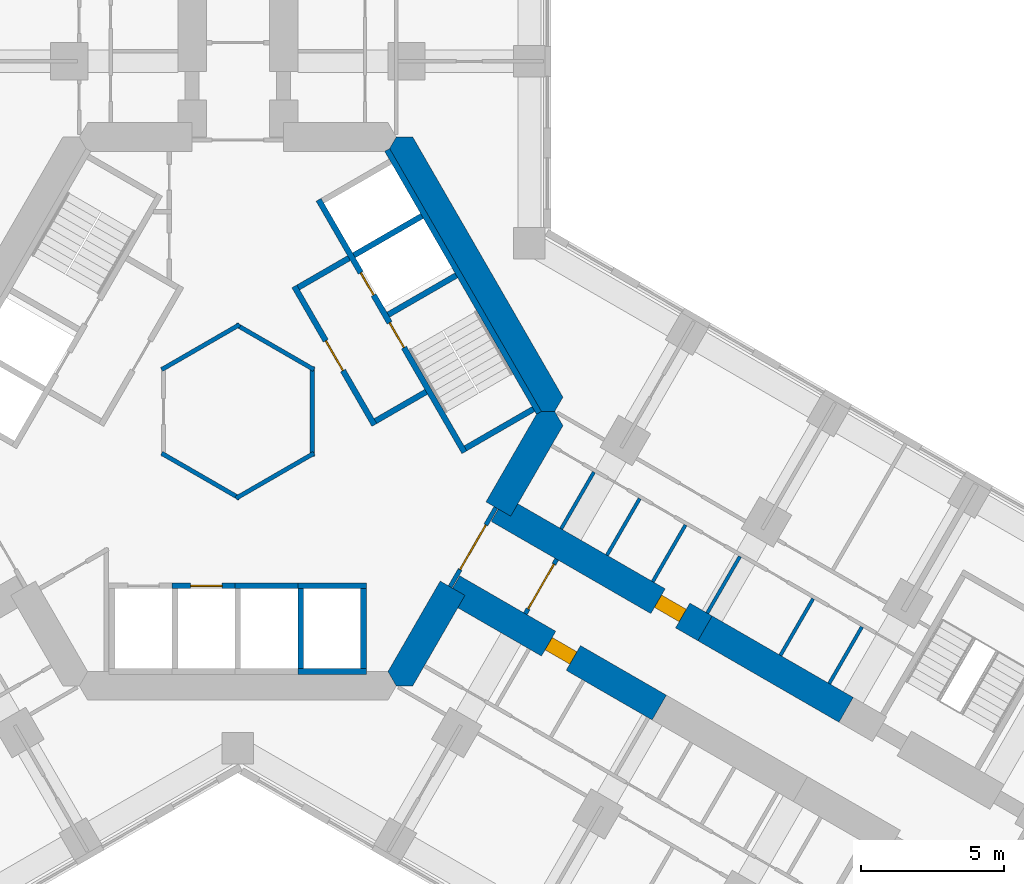
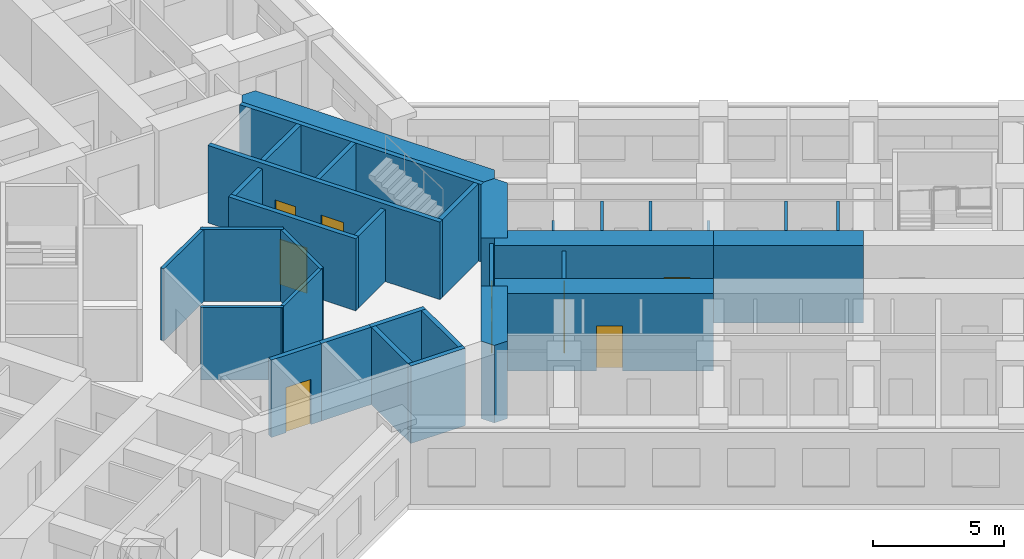
# One storey, part 15 of 21: 33 walls, 8 doors, 8 openings.
"""IFC4 building model written with IfcOpenShell, lengths in metres."""

from ifc_helpers import new_model, si_unit, direction, frame, frame_2d, origin, place, context, subcontext, project, spatial, polyline, rectangle, outline, extrude, material, layer, layer_set, type_object, element, fill, save


model = new_model("IFC4")

# Units and contexts
model_context = context("Model", 3, precision=1e-05, world=origin(), true_north=direction((0.0, 1.0)))
body_context = subcontext(model_context, "Body", "Model", "MODEL_VIEW")
ifc_project = project(units=[si_unit("LENGTHUNIT", "METRE"), si_unit("AREAUNIT", "SQUARE_METRE"), si_unit("VOLUMEUNIT", "CUBIC_METRE"), si_unit("PLANEANGLEUNIT", "RADIAN"), si_unit("MASSUNIT", "GRAM", prefix="KILO")], contexts=[model_context])

# Site, building, storey
site_placement = place(None, origin())
site = spatial("IfcSite", under=ifc_project, at=site_placement, CompositionType="ELEMENT")
building_placement = place(site_placement, origin())
building = spatial("IfcBuilding", under=site, at=building_placement, Name="Kosmar Iwan School Tower", CompositionType="ELEMENT")
storey_placement = place(building_placement, frame((0.0, 0.0, 39.39990234375)))
storey = spatial("IfcBuildingStorey", under=building, at=storey_placement, Name="L08", CompositionType="ELEMENT", Elevation=39.39990234375)

# Walls
ifc_material_1 = material(Name="Gypsum board on steel studs, fire-rated", Category="steel")
ifc_layer_1 = layer(ifc_material_1, 0.14990234375)
ifc_layer_set_1 = layer_set([ifc_layer_1], Name="Core room partition 150")
wall_type_1 = type_object("IfcWallType", Name="Core room partition 150", PredefinedType="PARTITIONING", material=ifc_layer_set_1)
for number, where, z_axis, x_axis, name in (
    (1, (2.6650390625, -1.463623046875, 0.0), (0.0, 0.0, 1.0), (-0.866023080072, -0.500004024767, 0.0), "Core room partition L08-CW4"),
    (2, (0.06494140625, -3.039794921875, 0.0), (0.0, 0.0, 1.0), (-0.866023080072, 0.500004024767, 0.0), "Core room partition L08-CW5"),
    (3, (-2.6650390625, 1.463623046875, 0.0), (0.0, 0.0, 1.0), (0.866023080072, 0.500004024767, 0.0), "Core room partition L08-CW7"),
    (4, (-0.06494140625, 3.039794921875, 0.0), (0.0, 0.0, 1.0), (0.866023080072, -0.500004024767, 0.0), "Core room partition L08-CW8"),
    (5, (2.60009765625, 1.576171875, 0.0), (0.0, 0.0, 1.0), (0.0, -1.0, 0.0), "Core room partition L08-CW9"),
):
    element("IfcWall", number, at=place(storey_placement, frame(where, z_axis=z_axis, x_axis=x_axis)), inside=storey, type_object=wall_type_1, Name=name, PredefinedType="PARTITIONING", context=body_context, shape_type="SweptSolid", body=[
        extrude(rectangle(XDim=3.15234375, YDim=0.14990234375, at=frame_2d((1.576171875, 0.0))), origin(), (0.0, 0.0, 1.0), 3.35009765625),
    ])
ifc_material_2 = material(Name="Concrete C50/60", Category="concrete")
ifc_layer_2 = layer(ifc_material_2, 1.0)
ifc_layer_set_2 = layer_set([ifc_layer_2], Name="Core wall 1000")
wall_type_2 = type_object("IfcWallType", Name="Core wall 1000", PredefinedType="SHEAR", material=ifc_layer_set_2)
wall_1_placement = place(storey_placement, origin())
element("IfcWall", 6, at=wall_1_placement, inside=storey, type_object=wall_type_2, Name="Core wall F030", PredefinedType="SHEAR", context=body_context, shape_type="SweptSolid", body=[
    extrude(outline(polyline([(10.5078125, 0.0), (11.085205078125, 0.0), (11.373779296875, 0.5), (6.119873046875, 9.60009765625), (5.54248046875, 9.60009765625), (5.25390625, 9.10009765625), (10.5078125, 0.0)])), origin(), (0.0, 0.0, 1.0), 3.60009765625),
])
wall_2_placement = place(storey_placement, origin())
element("IfcWall", 7, at=wall_2_placement, inside=storey, type_object=wall_type_2, Name="Core wall F330a", PredefinedType="SHEAR", context=body_context, shape_type="SweptSolid", body=[
    extrude(outline(polyline([(5.54248046875, -9.60009765625), (6.119873046875, -9.60009765625), (7.94677734375, -6.435546875), (7.080810546875, -5.935546875), (5.25390625, -9.10009765625), (5.54248046875, -9.60009765625)])), origin(), (0.0, 0.0, 1.0), 3.60009765625),
])
wall_3_placement = place(storey_placement, origin())
element("IfcWall", 8, at=wall_3_placement, inside=storey, type_object=wall_type_2, Name="Core wall F330b", PredefinedType="SHEAR", context=body_context, shape_type="SweptSolid", body=[
    extrude(outline(polyline([(9.546875, -3.664306640625), (11.373779296875, -0.5), (11.085205078125, 0.0), (10.5078125, 0.0), (8.680908203125, -3.164306640625), (9.546875, -3.664306640625)])), origin(), (0.0, 0.0, 1.0), 3.60009765625),
])

# Wall, opening, door
ifc_material_3 = material(Name="Concrete C50/60", Category="concrete")
ifc_layer_3 = layer(ifc_material_3, 1.0)
ifc_layer_set_3 = layer_set([ifc_layer_3], Name="Corridor buttress wall 1000")
wall_type_3 = type_object("IfcWallType", Name="Corridor buttress wall 1000", PredefinedType="SHEAR", material=ifc_layer_set_3)
wall_4_placement = place(storey_placement, frame((9.11376953125, -3.414306640625, 0.0), z_axis=(0.0, 0.0, 1.0), x_axis=(0.866026859388, -0.499997478812, 0.0)))
wall_4 = element("IfcWall", 9, at=wall_4_placement, inside=storey, type_object=wall_type_3, Name="Corridor wall CL", PredefinedType="SHEAR", context=body_context, shape_type="SweptSolid", body=[
    extrude(rectangle(XDim=8.35009765625, YDim=1.0, at=frame_2d((4.175048828125, 0.0))), origin(), (0.0, 0.0, 1.0), 3.60009765625),
])
opening_1_placement = place(wall_4_placement, frame((6.449951171875, 0.0, 0.0)))
opening_1 = element("IfcOpeningElement", 10, at=opening_1_placement, cuts=wall_4, Name="Opening D1", PredefinedType="OPENING", context=body_context, shape_type="SweptSolid", body=[
    extrude(rectangle(XDim=1.0, YDim=2.10009765625, at=frame_2d((0.5, 1.050048828125))), frame((0.0, 0.511962890625, 0.0), z_axis=(0.0, -1.0, 0.0), x_axis=(1.0, 0.0, 0.0)), (0.0, 0.0, 1.0), 1.02392578125),
])
ifc_material_4 = material(Name="Timber fire door in steel frame", Category="steel")
door_type_1 = type_object("IfcDoorType", Name="Flat entrance door 1000x2100", OperationType="SINGLE_SWING_LEFT", PredefinedType="DOOR", material=ifc_material_4)
door_1_placement = place(opening_1_placement, origin())
door_1 = element("IfcDoor", 11, at=door_1_placement, inside=storey, type_object=door_type_1, Name="Flat L08-CL1 entrance door", OperationType="SINGLE_SWING_LEFT", OverallHeight=2.10009765625, OverallWidth=1.0, PredefinedType="DOOR", context=body_context, shape_type="SweptSolid", body=[
    extrude(rectangle(XDim=1.0, YDim=2.10009765625, at=frame_2d((0.5, 1.050048828125))), frame((0.0, 0.25, 0.0), z_axis=(0.0, -1.0, 0.0), x_axis=(1.0, 0.0, 0.0)), (0.0, 0.0, 1.0), 0.5),
])
fill(opening_1, door_1)

# Wall
wall_5_placement = place(storey_placement, frame((16.34521484375, -7.58935546875, 0.0), z_axis=(0.0, 0.0, 1.0), x_axis=(0.866015111908, -0.50001782563, 0.0)))
element("IfcWall", 12, at=wall_5_placement, inside=storey, type_object=wall_type_3, Name="Corridor wall CL bay 2", PredefinedType="SHEAR", context=body_context, shape_type="SweptSolid", body=[
    extrude(rectangle(XDim=5.699951171875, YDim=1.0, at=frame_2d((2.85009765625, 0.0))), origin(), (0.0, 0.0, 1.0), 3.60009765625),
])

# Wall, opening, door
wall_6_placement = place(storey_placement, frame((7.513916015625, -6.185546875, 0.0), z_axis=(0.0, 0.0, 1.0), x_axis=(0.866019549707, -0.500010139422, 0.0)))
wall_6 = element("IfcWall", 13, at=wall_6_placement, inside=storey, type_object=wall_type_3, Name="Corridor wall CR", PredefinedType="SHEAR", context=body_context, shape_type="SweptSolid", body=[
    extrude(rectangle(XDim=8.349853515625, YDim=1.0, at=frame_2d((4.1748046875, 0.0))), origin(), (0.0, 0.0, 1.0), 3.60009765625),
])
opening_2_placement = place(wall_6_placement, frame((3.8798828125, 0.0, 0.0)))
opening_2 = element("IfcOpeningElement", 14, at=opening_2_placement, cuts=wall_6, Name="Opening D1", PredefinedType="OPENING", context=body_context, shape_type="SweptSolid", body=[
    extrude(rectangle(XDim=1.0, YDim=2.10009765625, at=frame_2d((0.5, 1.050048828125))), frame((0.0, 0.511962890625, 0.0), z_axis=(0.0, -1.0, 0.0), x_axis=(1.0, 0.0, 0.0)), (0.0, 0.0, 1.0), 1.02392578125),
])
door_2_placement = place(opening_2_placement, origin())
door_2 = element("IfcDoor", 15, at=door_2_placement, inside=storey, type_object=door_type_1, Name="Flat L08-CR1 entrance door", OperationType="SINGLE_SWING_LEFT", OverallHeight=2.10009765625, OverallWidth=1.0, PredefinedType="DOOR", context=body_context, shape_type="SweptSolid", body=[
    extrude(rectangle(XDim=1.0, YDim=2.10009765625, at=frame_2d((0.5, 1.050048828125))), frame((0.0, 0.25, 0.0), z_axis=(0.0, -1.0, 0.0), x_axis=(1.0, 0.0, 0.0)), (0.0, 0.0, 1.0), 0.5),
])
fill(opening_2, door_2)

ifc_material_5 = material(Name="Gypsum board on steel studs, fire-rated", Category="steel")
ifc_layer_4 = layer(ifc_material_5, 0.14990234375)
ifc_layer_set_4 = layer_set([ifc_layer_4], Name="Corridor end wall 150")
wall_type_4 = type_object("IfcWallType", Name="Corridor end wall 150", PredefinedType="PARTITIONING", material=ifc_layer_set_4)
wall_7_placement = place(storey_placement, frame((10.058837890625, -7.07763671875, 0.0), z_axis=(0.0, 0.0, 1.0), x_axis=(0.50002983664, 0.866008176907, 0.0)))
wall_7 = element("IfcWall", 16, at=wall_7_placement, inside=storey, type_object=wall_type_4, Name="Partition L08-C-HW", PredefinedType="PARTITIONING", context=body_context, shape_type="SweptSolid", body=[
    extrude(rectangle(XDim=2.199951171875, YDim=0.14990234375, at=frame_2d((1.10009765625, 0.0))), origin(), (0.0, 0.0, 1.0), 3.35009765625),
])
opening_3_placement = place(wall_7_placement, frame((0.199951171875, 0.0, 0.0)))
opening_3 = element("IfcOpeningElement", 17, at=opening_3_placement, cuts=wall_7, Name="Opening D9", PredefinedType="OPENING", context=body_context, shape_type="SweptSolid", body=[
    extrude(rectangle(XDim=1.800048828125, YDim=2.10009765625, at=frame_2d((0.89990234375, 1.050048828125))), frame((0.0, 0.0869140625, 0.0), z_axis=(0.0, -1.0, 0.0), x_axis=(1.0, 0.0, 0.0)), (0.0, 0.0, 1.0), 0.173828125),
])
ifc_material_6 = material(Name="Steel framed glazed smoke door", Category="steel")
door_type_2 = type_object("IfcDoorType", Name="Corridor smoke door pair 1800x2100", OperationType="DOUBLE_DOOR_DOUBLE_SWING", PredefinedType="DOOR", material=ifc_material_6)
door_3_placement = place(opening_3_placement, origin())
door_3 = element("IfcDoor", 18, at=door_3_placement, inside=storey, type_object=door_type_2, Name="Entrance vestibule smoke doors L08-C", OperationType="DOUBLE_DOOR_DOUBLE_SWING", OverallHeight=2.10009765625, OverallWidth=1.800048828125, PredefinedType="DOOR", context=body_context, shape_type="SweptSolid", body=[
    extrude(rectangle(XDim=1.800048828125, YDim=2.10009765625, at=frame_2d((0.89990234375, 1.050048828125))), frame((0.0, 0.02490234375, 0.0), z_axis=(0.0, -1.0, 0.0), x_axis=(1.0, 0.0, 0.0)), (0.0, 0.0, 1.0), 0.050048828125),
])
fill(opening_3, door_3)

ifc_material_7 = material(Name="Steel framed glazed screen", Category="steel")
ifc_layer_5 = layer(ifc_material_7, 0.14990234375)
ifc_layer_set_5 = layer_set([ifc_layer_5], Name="Corridor screen wall 150")
wall_type_5 = type_object("IfcWallType", Name="Corridor screen wall 150", PredefinedType="PARTITIONING", material=ifc_layer_set_5)
wall_8_placement = place(storey_placement, frame((7.42724609375, -6.1357421875, 0.0), z_axis=(0.0, 0.0, 1.0), x_axis=(0.499995408039, 0.866028054938, 0.0)))
wall_8 = element("IfcWall", 19, at=wall_8_placement, inside=storey, type_object=wall_type_5, Name="Corridor screen C L08", PredefinedType="PARTITIONING", context=body_context, shape_type="SweptSolid", body=[
    extrude(rectangle(XDim=3.2001953125, YDim=0.14990234375, at=frame_2d((1.60009765625, 0.0))), origin(), (0.0, 0.0, 1.0), 3.35009765625),
])
opening_4_placement = place(wall_8_placement, frame((0.699951171875, 0.0, 0.0)))
opening_4 = element("IfcOpeningElement", 20, at=opening_4_placement, cuts=wall_8, Name="Opening D9", PredefinedType="OPENING", context=body_context, shape_type="SweptSolid", body=[
    extrude(rectangle(XDim=1.800048828125, YDim=2.10009765625, at=frame_2d((0.89990234375, 1.050048828125))), frame((0.0, 0.0869140625, 0.0), z_axis=(0.0, -1.0, 0.0), x_axis=(1.0, 0.0, 0.0)), (0.0, 0.0, 1.0), 0.173828125),
])
door_4_placement = place(opening_4_placement, origin())
door_4 = element("IfcDoor", 21, at=door_4_placement, inside=storey, type_object=door_type_2, Name="Corridor doors C L08", OperationType="DOUBLE_DOOR_DOUBLE_SWING", OverallHeight=2.10009765625, OverallWidth=1.800048828125, PredefinedType="DOOR", context=body_context, shape_type="SweptSolid", body=[
    extrude(rectangle(XDim=1.800048828125, YDim=2.10009765625, at=frame_2d((0.89990234375, 1.050048828125))), frame((0.0, 0.02490234375, 0.0), z_axis=(0.0, -1.0, 0.0), x_axis=(1.0, 0.0, 0.0)), (0.0, 0.0, 1.0), 0.050048828125),
])
fill(opening_4, door_4)

# Walls
ifc_material_8 = material(Name="Gypsum board on steel studs", Category="steel")
ifc_layer_6 = layer(ifc_material_8, 0.1201171875)
ifc_layer_set_6 = layer_set([ifc_layer_6], Name="Dwelling partition 120")
wall_type_6 = type_object("IfcWallType", Name="Dwelling partition 120", PredefinedType="PARTITIONING", material=ifc_layer_set_6)
wall_9_placement = place(storey_placement, frame((11.3125, -4.1064453125, 0.0), z_axis=(0.0, 0.0, 1.0), x_axis=(0.499968531483, 0.866043571379, 0.0)))
element("IfcWall", 22, at=wall_9_placement, inside=storey, type_object=wall_type_6, Name="Partition L08-CL1-Y1", PredefinedType="PARTITIONING", context=body_context, shape_type="SweptSolid", body=[
    extrude(rectangle(XDim=2.290283203125, YDim=0.1201171875, at=frame_2d((1.14501953125, 0.0))), origin(), (0.0, 0.0, 1.0), 2.4501953125),
])
for number, where, z_axis, x_axis, name in (
    (23, (12.91455078125, -5.03125, 0.0), (0.0, 0.0, 1.0), (0.500014693593, 0.866016920268, 0.0), "Partition L08-CL1-Y2"),
    (24, (14.5166015625, -5.956298828125, 0.0), (0.0, 0.0, 1.0), (0.500014693593, 0.866016920268, 0.0), "Partition L08-CL1-Y3"),
):
    element("IfcWall", number, at=place(storey_placement, frame(where, z_axis=z_axis, x_axis=x_axis)), inside=storey, type_object=wall_type_6, Name=name, PredefinedType="PARTITIONING", context=body_context, shape_type="SweptSolid", body=[
        extrude(rectangle(XDim=2.2900390625, YDim=0.1201171875, at=frame_2d((1.14501953125, 0.0))), origin(), (0.0, 0.0, 1.0), 3.35009765625),
    ])
wall_10_placement = place(storey_placement, frame((16.421875, -7.056396484375, 0.0), z_axis=(0.0, 0.0, 1.0), x_axis=(0.500014693593, 0.866016920268, 0.0)))
element("IfcWall", 25, at=wall_10_placement, inside=storey, type_object=wall_type_6, Name="Partition L08-CL1-Y4", PredefinedType="PARTITIONING", context=body_context, shape_type="SweptSolid", body=[
    extrude(rectangle(XDim=2.2900390625, YDim=0.1201171875, at=frame_2d((1.14501953125, 0.0))), origin(), (0.0, 0.0, 1.0), 2.4501953125),
])
wall_11_placement = place(storey_placement, frame((18.98291015625, -8.534912109375, 0.0), z_axis=(0.0, 0.0, 1.0), x_axis=(0.500014693593, 0.866016920268, 0.0)))
element("IfcWall", 26, at=wall_11_placement, inside=storey, type_object=wall_type_6, Name="Partition L08-CL1-Y5", PredefinedType="PARTITIONING", context=body_context, shape_type="SweptSolid", body=[
    extrude(rectangle(XDim=2.2900390625, YDim=0.1201171875, at=frame_2d((1.14501953125, 0.0))), origin(), (0.0, 0.0, 1.0), 3.35009765625),
])
wall_12_placement = place(storey_placement, frame((20.690185546875, -9.520751953125, 0.0), z_axis=(0.0, 0.0, 1.0), x_axis=(0.499968531483, 0.866043571379, 0.0)))
element("IfcWall", 27, at=wall_12_placement, inside=storey, type_object=wall_type_6, Name="Partition L08-CL1-Y6", PredefinedType="PARTITIONING", context=body_context, shape_type="SweptSolid", body=[
    extrude(rectangle(XDim=2.290283203125, YDim=0.1201171875, at=frame_2d((1.14501953125, 0.0))), origin(), (0.0, 0.0, 1.0), 3.35009765625),
])

# Wall, opening, door
ifc_material_9 = material(Name="Concrete block masonry", Category="masonry")
ifc_layer_7 = layer(ifc_material_9, 0.199951171875)
ifc_layer_set_7 = layer_set([ifc_layer_7], Name="Fire lobby wall 200")
wall_type_7 = type_object("IfcWallType", Name="Fire lobby wall 200", PredefinedType="PARTITIONING", material=ifc_layer_set_7)
wall_13_placement = place(storey_placement, frame((4.777587890625, -0.474853515625, 0.0), z_axis=(0.0, 0.0, 1.0), x_axis=(-0.500016814911, 0.866015695474, 0.0)))
wall_13 = element("IfcWall", 28, at=wall_13_placement, inside=storey, type_object=wall_type_7, Name="Firefighting lobby wall ST1", PredefinedType="PARTITIONING", context=body_context, shape_type="SweptSolid", body=[
    extrude(rectangle(XDim=5.599853515625, YDim=0.199951171875, at=frame_2d((2.7998046875, 0.0))), origin(), (0.0, 0.0, 1.0), 3.35009765625),
])
opening_5_placement = place(wall_13_placement, frame((2.199951171875, 0.0, 0.0)))
opening_5 = element("IfcOpeningElement", 29, at=opening_5_placement, cuts=wall_13, Name="Opening D7", PredefinedType="OPENING", context=body_context, shape_type="SweptSolid", body=[
    extrude(rectangle(XDim=1.199951171875, YDim=2.10009765625, at=frame_2d((0.60009765625, 1.050048828125))), frame((0.0, 0.112060546875, 0.0), z_axis=(0.0, -1.0, 0.0), x_axis=(1.0, 0.0, 0.0)), (0.0, 0.0, 1.0), 0.223876953125),
])
ifc_material_10 = material(Name="Steel fire door", Category="steel")
door_type_3 = type_object("IfcDoorType", Name="Fire lobby door 1200x2100", OperationType="SINGLE_SWING_LEFT", PredefinedType="DOOR", material=ifc_material_10)
door_5_placement = place(opening_5_placement, frame((1.199951171875, 0.0, 0.0), z_axis=(0.0, 0.0, 1.0), x_axis=(-1.0, 0.0, 0.0)))
door_5 = element("IfcDoor", 30, at=door_5_placement, inside=storey, type_object=door_type_3, Name="Firefighting lobby door ST1 L08", OperationType="SINGLE_SWING_LEFT", OverallHeight=2.10009765625, OverallWidth=1.199951171875, PredefinedType="DOOR", context=body_context, shape_type="SweptSolid", body=[
    extrude(rectangle(XDim=1.199951171875, YDim=2.10009765625, at=frame_2d((0.60009765625, 1.050048828125))), frame((0.0, 0.02490234375, 0.0), z_axis=(0.0, -1.0, 0.0), x_axis=(1.0, 0.0, 0.0)), (0.0, 0.0, 1.0), 0.050048828125),
])
fill(opening_5, door_5)

# Walls
wall_14_placement = place(storey_placement, frame((4.814208984375, -0.33837890625, 0.0), z_axis=(0.0, 0.0, 1.0), x_axis=(0.865969381856, 0.500097020274, 0.0)))
element("IfcWall", 31, at=wall_14_placement, inside=storey, type_object=wall_type_7, Name="Firefighting lobby wall ST1", PredefinedType="PARTITIONING", context=body_context, shape_type="SweptSolid", body=[
    extrude(rectangle(XDim=2.0498046875, YDim=0.199951171875, at=frame_2d((1.02490234375, 0.0))), origin(), (0.0, 0.0, 1.0), 3.35009765625),
])
wall_15_placement = place(storey_placement, frame((2.114013671875, 4.33837890625, 0.0), z_axis=(0.0, 0.0, 1.0), x_axis=(0.866050731258, 0.499956128963, 0.0)))
element("IfcWall", 32, at=wall_15_placement, inside=storey, type_object=wall_type_7, Name="Firefighting lobby wall ST1", PredefinedType="PARTITIONING", context=body_context, shape_type="SweptSolid", body=[
    extrude(rectangle(XDim=2.050048828125, YDim=0.199951171875, at=frame_2d((1.02490234375, 0.0))), origin(), (0.0, 0.0, 1.0), 3.35009765625),
])

# Wall, openings, doors
ifc_material_11 = material(Name="Concrete C50/60", Category="concrete")
ifc_layer_8 = layer(ifc_material_11, 0.199951171875)
ifc_layer_set_8 = layer_set([ifc_layer_8], Name="Lift shaft wall 200")
wall_type_8 = type_object("IfcWallType", Name="Lift shaft wall 200", PredefinedType="SHEAR", material=ifc_layer_set_8)
wall_16_placement = place(storey_placement, frame((7.926025390625, -1.42822265625, 0.0), z_axis=(0.0, 0.0, 1.0), x_axis=(-0.499998023675, 0.866026544813, 0.0)))
wall_16 = element("IfcWall", 33, at=wall_16_placement, inside=storey, type_object=wall_type_8, Name="Lift and stair front wall AC", PredefinedType="SHEAR", context=body_context, shape_type="SweptSolid", body=[
    extrude(rectangle(XDim=10.19970703125, YDim=0.199951171875, at=frame_2d((5.099853515625, 0.0))), origin(), (0.0, 0.0, 1.0), 3.60009765625),
])
opening_6_placement = place(wall_16_placement, frame((6.35009765625, 0.0, 0.0)))
opening_6 = element("IfcOpeningElement", 34, at=opening_6_placement, cuts=wall_16, Name="Opening LD2", PredefinedType="OPENING", context=body_context, shape_type="SweptSolid", body=[
    extrude(rectangle(XDim=0.89990234375, YDim=2.10009765625, at=frame_2d((0.449951171875, 1.050048828125))), frame((0.0, 0.112060546875, 0.0), z_axis=(0.0, -1.0, 0.0), x_axis=(1.0, 0.0, 0.0)), (0.0, 0.0, 1.0), 0.223876953125),
])
opening_7_placement = place(wall_16_placement, frame((4.22998046875, 0.0, 0.0)))
opening_7 = element("IfcOpeningElement", 35, at=opening_7_placement, cuts=wall_16, Name="Opening D6", PredefinedType="OPENING", context=body_context, shape_type="SweptSolid", body=[
    extrude(rectangle(XDim=1.0, YDim=2.10009765625, at=frame_2d((0.5, 1.050048828125))), frame((0.0, 0.112060546875, 0.0), z_axis=(0.0, -1.0, 0.0), x_axis=(1.0, 0.0, 0.0)), (0.0, 0.0, 1.0), 0.223876953125),
])
ifc_material_12 = material(Name="Stainless steel sliding lift door", Category="steel")
door_type_4 = type_object("IfcDoorType", Name="Firefighting lift landing door 900x2100", OperationType="SLIDING_TO_LEFT", PredefinedType="DOOR", material=ifc_material_12)
door_6_placement = place(opening_6_placement, origin())
door_6 = element("IfcDoor", 36, at=door_6_placement, inside=storey, type_object=door_type_4, Name="Lift FF1 landing door L08", OperationType="SLIDING_TO_LEFT", OverallHeight=2.10009765625, OverallWidth=0.89990234375, PredefinedType="DOOR", context=body_context, shape_type="SweptSolid", body=[
    extrude(rectangle(XDim=0.89990234375, YDim=2.10009765625, at=frame_2d((0.449951171875, 1.050048828125))), frame((0.0, 0.02490234375, 0.0), z_axis=(0.0, -1.0, 0.0), x_axis=(1.0, 0.0, 0.0)), (0.0, 0.0, 1.0), 0.050048828125),
])
fill(opening_6, door_6)
ifc_material_13 = material(Name="Steel fire door", Category="steel")
door_type_5 = type_object("IfcDoorType", Name="Stair door 1000x2100", OperationType="SINGLE_SWING_LEFT", PredefinedType="DOOR", material=ifc_material_13)
door_7_placement = place(opening_7_placement, origin())
door_7 = element("IfcDoor", 37, at=door_7_placement, inside=storey, type_object=door_type_5, Name="Stair ST1 door L08", OperationType="SINGLE_SWING_LEFT", OverallHeight=2.10009765625, OverallWidth=1.0, PredefinedType="DOOR", context=body_context, shape_type="SweptSolid", body=[
    extrude(rectangle(XDim=1.0, YDim=2.10009765625, at=frame_2d((0.5, 1.050048828125))), frame((0.0, 0.02490234375, 0.0), z_axis=(0.0, -1.0, 0.0), x_axis=(1.0, 0.0, 0.0)), (0.0, 0.0, 1.0), 0.050048828125),
])
fill(opening_7, door_7)

# Walls
wall_17_placement = place(storey_placement, frame((10.53662109375, -0.050048828125, 0.0), z_axis=(0.0, 0.0, 1.0), x_axis=(-0.499994998079, 0.866028291626, 0.0)))
element("IfcWall", 38, at=wall_17_placement, inside=storey, type_object=wall_type_8, Name="Lift and stair back wall AC", PredefinedType="SHEAR", context=body_context, shape_type="SweptSolid", body=[
    extrude(rectangle(XDim=10.623046875, YDim=0.199951171875, at=frame_2d((5.3115234375, 0.0))), origin(), (0.0, 0.0, 1.0), 3.60009765625),
])
wall_18_placement = place(storey_placement, frame((4.062744140625, 5.46337890625, 0.0), z_axis=(0.0, 0.0, 1.0), x_axis=(0.866027397988, 0.499996545922, 0.0)))
element("IfcWall", 39, at=wall_18_placement, inside=storey, type_object=wall_type_8, Name="Lift shaft wall AC 1", PredefinedType="SHEAR", context=body_context, shape_type="SweptSolid", body=[
    extrude(rectangle(XDim=2.75, YDim=0.199951171875, at=frame_2d((1.375, 0.0))), origin(), (0.0, 0.0, 1.0), 3.60009765625),
])

# Wall, opening, door
wall_19_placement = place(storey_placement, frame((-2.300048828125, -6.10009765625, 0.0), z_axis=(0.0, 0.0, 1.0), x_axis=(1.0, 0.0, 0.0)))
wall_19 = element("IfcWall", 40, at=wall_19_placement, inside=storey, type_object=wall_type_8, Name="Lift and stair front wall BC", PredefinedType="SHEAR", context=body_context, shape_type="SweptSolid", body=[
    extrude(rectangle(XDim=2.199951171875, YDim=0.199951171875, at=frame_2d((1.10009765625, 0.0))), origin(), (0.0, 0.0, 1.0), 3.60009765625),
])
opening_8_placement = place(wall_19_placement, frame((0.64990234375, 0.0, 0.0)))
opening_8 = element("IfcOpeningElement", 41, at=opening_8_placement, cuts=wall_19, Name="Opening LD1", PredefinedType="OPENING", context=body_context, shape_type="SweptSolid", body=[
    extrude(rectangle(XDim=1.10009765625, YDim=2.10009765625, at=frame_2d((0.550048828125, 1.050048828125))), frame((0.0, 0.112060546875, 0.0), z_axis=(0.0, -1.0, 0.0), x_axis=(1.0, 0.0, 0.0)), (0.0, 0.0, 1.0), 0.223876953125),
])
ifc_material_14 = material(Name="Stainless steel sliding lift door", Category="steel")
door_type_6 = type_object("IfcDoorType", Name="Lift landing door 1100x2100", OperationType="SLIDING_TO_LEFT", PredefinedType="DOOR", material=ifc_material_14)
door_8_placement = place(opening_8_placement, origin())
door_8 = element("IfcDoor", 42, at=door_8_placement, inside=storey, type_object=door_type_6, Name="Lift PL2 landing door L08", OperationType="SLIDING_TO_LEFT", OverallHeight=2.10009765625, OverallWidth=1.10009765625, PredefinedType="DOOR", context=body_context, shape_type="SweptSolid", body=[
    extrude(rectangle(XDim=1.10009765625, YDim=2.10009765625, at=frame_2d((0.550048828125, 1.050048828125))), frame((0.0, 0.02490234375, 0.0), z_axis=(0.0, -1.0, 0.0), x_axis=(1.0, 0.0, 0.0)), (0.0, 0.0, 1.0), 0.050048828125),
])
fill(opening_8, door_8)

# Walls
wall_20_placement = place(storey_placement, frame((-0.10009765625, -6.10009765625, 0.0), z_axis=(0.0, 0.0, 1.0), x_axis=(1.0, 0.0, 0.0)))
element("IfcWall", 43, at=wall_20_placement, inside=storey, type_object=wall_type_8, Name="Lift and stair front wall BC", PredefinedType="SHEAR", context=body_context, shape_type="SweptSolid", body=[
    extrude(rectangle(XDim=2.2001953125, YDim=0.199951171875, at=frame_2d((1.10009765625, 0.0))), origin(), (0.0, 0.0, 1.0), 3.60009765625),
])
for number, where, z_axis, x_axis, name in (
    (44, (2.10009765625, -6.10009765625, 0.0), (0.0, 0.0, 1.0), (1.0, 0.0, 0.0), "Lift and stair front wall BC"),
    (45, (2.10009765625, -9.10009765625, 0.0), (0.0, 0.0, 1.0), (1.0, 0.0, 0.0), "Lift and stair back wall BC"),
):
    element("IfcWall", number, at=place(storey_placement, frame(where, z_axis=z_axis, x_axis=x_axis)), inside=storey, type_object=wall_type_8, Name=name, PredefinedType="SHEAR", context=body_context, shape_type="SweptSolid", body=[
        extrude(rectangle(XDim=2.39990234375, YDim=0.199951171875, at=frame_2d((1.199951171875, 0.0))), origin(), (0.0, 0.0, 1.0), 3.60009765625),
    ])
for number, where, z_axis, x_axis, name in (
    (46, (2.199951171875, -6.199951171875, 0.0), (0.0, 0.0, 1.0), (0.0, -1.0, 0.0), "Lift shaft wall BC 3"),
    (47, (4.39990234375, -6.199951171875, 0.0), (0.0, 0.0, 1.0), (0.0, -1.0, 0.0), "Lift shaft wall BC 4"),
):
    element("IfcWall", number, at=place(storey_placement, frame(where, z_axis=z_axis, x_axis=x_axis)), inside=storey, type_object=wall_type_8, Name=name, PredefinedType="SHEAR", context=body_context, shape_type="SweptSolid", body=[
        extrude(rectangle(XDim=2.800048828125, YDim=0.199951171875, at=frame_2d((1.39990234375, 0.0))), origin(), (0.0, 0.0, 1.0), 3.60009765625),
    ])
ifc_material_15 = material(Name="Concrete C50/60", Category="concrete")
ifc_layer_9 = layer(ifc_material_15, 0.199951171875)
ifc_layer_set_9 = layer_set([ifc_layer_9], Name="Stair enclosure wall 200")
wall_type_9 = type_object("IfcWallType", Name="Stair enclosure wall 200", PredefinedType="SHEAR", material=ifc_layer_set_9)
for number, where, z_axis, x_axis, name in (
    (48, (7.962646484375, -1.291748046875, 0.0), (0.0, 0.0, 1.0), (0.866027397988, 0.499996545922, 0.0), "Stair ST1 wall"),
    (49, (5.2626953125, 3.384765625, 0.0), (0.0, 0.0, 1.0), (0.866027397988, 0.499996545922, 0.0), "Stair ST1 wall"),
):
    element("IfcWall", number, at=place(storey_placement, frame(where, z_axis=z_axis, x_axis=x_axis)), inside=storey, type_object=wall_type_9, Name=name, PredefinedType="SHEAR", context=body_context, shape_type="SweptSolid", body=[
        extrude(rectangle(XDim=2.75, YDim=0.199951171875, at=frame_2d((1.375, 0.0))), origin(), (0.0, 0.0, 1.0), 3.60009765625),
    ])

save(model, "model.ifc")
